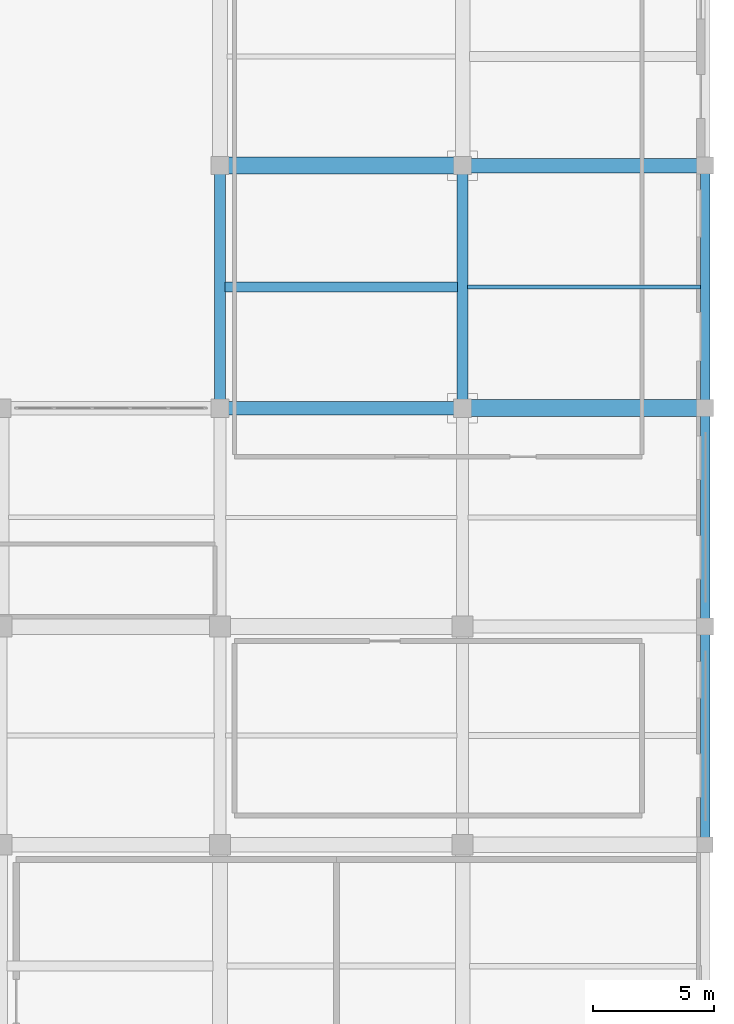
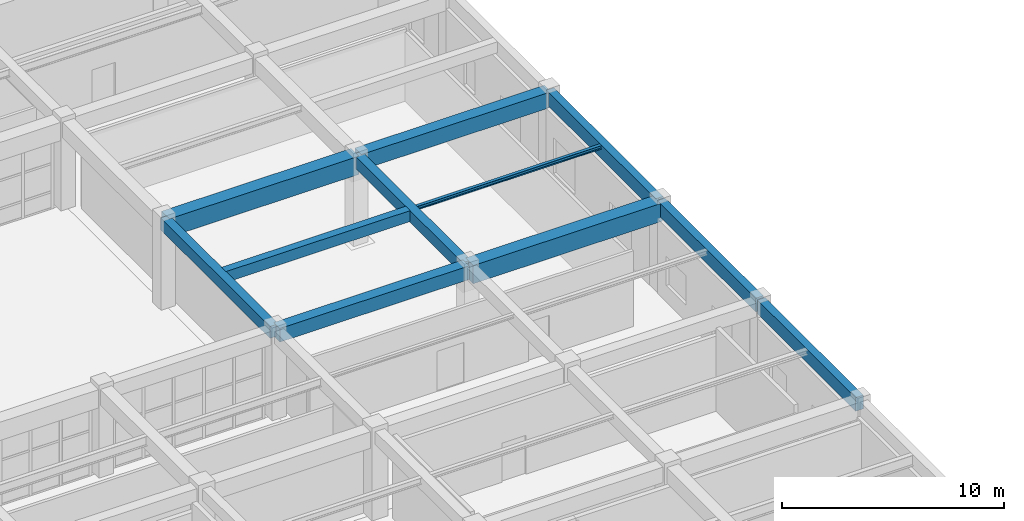
# One storey, part 80 of 128: 11 beams.
"""IFC4 building model written with IfcOpenShell, lengths in metres."""

from ifc_helpers import new_model, si_unit, direction, frame, origin, origin_2d, place, context, subcontext, project, spatial, rectangle, i_section, extrude, material, material_profile, profile_set, type_object, element, save


model = new_model("IFC4")

# Units and contexts
model_context = context("Model", 3, precision=1e-05, world=origin(), true_north=direction((0.0, 1.0)))
body_context = subcontext(model_context, "Body", "Model", "MODEL_VIEW")
ifc_project = project(units=[si_unit("LENGTHUNIT", "METRE"), si_unit("AREAUNIT", "SQUARE_METRE"), si_unit("VOLUMEUNIT", "CUBIC_METRE"), si_unit("PLANEANGLEUNIT", "RADIAN"), si_unit("MASSUNIT", "GRAM", prefix="KILO")], contexts=[model_context])

# Site, building, storey
site_placement = place(None, origin())
site = spatial("IfcSite", under=ifc_project, at=site_placement, CompositionType="ELEMENT")
building_placement = place(site_placement, origin())
building = spatial("IfcBuilding", under=site, at=building_placement, Name="Miravela Opera House", CompositionType="ELEMENT")
storey_placement = place(building_placement, origin())
storey = spatial("IfcBuildingStorey", under=building, at=storey_placement, Name="L00", CompositionType="ELEMENT", Elevation=0.0)

# Beams
ifc_material_1 = material(Name="Concrete C35/45", Category="concrete")
ifc_material_profile_1 = material_profile(ifc_material_1, rectangle(XDim=0.39990234375, YDim=0.60009765625, at=origin_2d()), Name="RC-BM-400X600")
ifc_profile_set_1 = profile_set([ifc_material_profile_1])
beam_type_1 = type_object("IfcBeamType", Name="STR-BM-RC400X600", PredefinedType="JOIST", material=ifc_profile_set_1)
beam_1_placement = place(storey_placement, frame((144.2099609375, 89.0, 4.550048828125), z_axis=(1.0, 0.0, 0.0), x_axis=(0.0, 1.0, 0.0)))
element("IfcBeam", 1, at=beam_1_placement, inside=storey, type_object=beam_type_1, Name="Secondary Floor Joist L00 17-18/J-K", PredefinedType="JOIST", context=body_context, shape_type="SweptSolid", body=[
    extrude(rectangle(XDim=0.39990234375, YDim=0.60009765625, at=origin_2d()), origin(), (0.0, 0.0, 1.0), 9.580078125),
])
ifc_material_profile_2 = material_profile(ifc_material_1, rectangle(XDim=0.449951171875, YDim=0.64990234375, at=origin_2d()), Name="RC-BM-450X650")
ifc_profile_set_2 = profile_set([ifc_material_profile_2])
beam_type_2 = type_object("IfcBeamType", Name="STR-BM-RC450X650", PredefinedType="BEAM", material=ifc_profile_set_2)
for number, where, z_axis, x_axis, name in (
    (2, (144.0, 84.080078125, 4.52490234375), (0.0, 1.0, 0.0), (-1.0, 0.0, 0.0), "Floor Girder L00 17/J-K"),
    (3, (154.0, 84.080078125, 4.52490234375), (0.0, 1.0, 0.0), (-1.0, 0.0, 0.0), "Floor Girder L00 18/J-K"),
):
    element("IfcBeam", number, at=place(storey_placement, frame(where, z_axis=z_axis, x_axis=x_axis)), inside=storey, type_object=beam_type_2, Name=name, PredefinedType="BEAM", context=body_context, shape_type="SweptSolid", body=[
        extrude(rectangle(XDim=0.449951171875, YDim=0.64990234375, at=origin_2d()), origin(), (0.0, 0.0, 1.0), 9.83984375),
    ])
ifc_material_profile_3 = material_profile(ifc_material_1, rectangle(XDim=0.550048828125, YDim=0.75, at=origin_2d()), Name="RC-BM-550X750")
ifc_profile_set_3 = profile_set([ifc_material_profile_3])
beam_type_3 = type_object("IfcBeamType", Name="STR-BM-RC550X750", PredefinedType="BEAM", material=ifc_profile_set_3)
beam_2_placement = place(storey_placement, frame((144.080078125, 84.0, 4.47509765625), z_axis=(1.0, 0.0, 0.0), x_axis=(0.0, 1.0, 0.0)))
element("IfcBeam", 4, at=beam_2_placement, inside=storey, type_object=beam_type_3, Name="Floor Girder L00 17-18/J", PredefinedType="BEAM", context=body_context, shape_type="SweptSolid", body=[
    extrude(rectangle(XDim=0.550048828125, YDim=0.75, at=origin_2d()), origin(), (0.0, 0.0, 1.0), 9.83984375),
])
ifc_material_2 = material(Name="Concrete C40/50", Category="concrete")
ifc_material_profile_4 = material_profile(ifc_material_2, rectangle(XDim=0.60009765625, YDim=0.85009765625, at=origin_2d()), Name="RC-BM-600X850")
ifc_profile_set_4 = profile_set([ifc_material_profile_4])
beam_type_4 = type_object("IfcBeamType", Name="STR-BM-RC600X850", PredefinedType="BEAM", material=ifc_profile_set_4)
beam_3_placement = place(storey_placement, frame((154.080078125, 94.0, 4.425048828125), z_axis=(1.0, 0.0, 0.0), x_axis=(0.0, 1.0, 0.0)))
element("IfcBeam", 5, at=beam_3_placement, inside=storey, type_object=beam_type_4, Name="Floor Girder L00 18-19/K", PredefinedType="BEAM", context=body_context, shape_type="SweptSolid", body=[
    extrude(rectangle(XDim=0.60009765625, YDim=0.85009765625, at=origin_2d()), origin(), (0.0, 0.0, 1.0), 9.83984375),
])
ifc_material_profile_5 = material_profile(ifc_material_2, rectangle(XDim=0.699951171875, YDim=1.0, at=origin_2d()), Name="RC-BM-700X1000")
ifc_profile_set_5 = profile_set([ifc_material_profile_5])
beam_type_5 = type_object("IfcBeamType", Name="STR-BM-RC700X1000", PredefinedType="BEAM", material=ifc_profile_set_5)
for number, where, z_axis, x_axis, name in (
    (6, (144.080078125, 94.0, 4.35009765625), (1.0, 0.0, 0.0), (0.0, 1.0, 0.0), "Floor Girder L00 17-18/K"),
    (7, (154.080078125, 84.0, 4.35009765625), (1.0, 0.0, 0.0), (0.0, 1.0, 0.0), "Floor Girder L00 18-19/J"),
):
    element("IfcBeam", number, at=place(storey_placement, frame(where, z_axis=z_axis, x_axis=x_axis)), inside=storey, type_object=beam_type_5, Name=name, PredefinedType="BEAM", context=body_context, shape_type="SweptSolid", body=[
        extrude(rectangle(XDim=0.699951171875, YDim=1.0, at=origin_2d()), origin(), (0.0, 0.0, 1.0), 9.83984375),
    ])
ifc_material_3 = material(Name="Structural steel ASTM A992 Gr. 50", Category="steel")
ifc_material_profile_6 = material_profile(ifc_material_3, i_section(OverallWidth=0.1650390625, OverallDepth=0.200927734375, WebThickness=0.006103515625, FlangeThickness=0.01025390625, FilletRadius=0.010009765625, at=origin_2d()), Name="W200X36")
ifc_profile_set_6 = profile_set([ifc_material_profile_6])
beam_type_6 = type_object("IfcBeamType", Name="STR-BM-W200X36", PredefinedType="LINTEL", material=ifc_profile_set_6)
beam_4_placement = place(storey_placement, frame((154.2099609375, 89.0, 4.74951171875), z_axis=(1.0, 0.0, 0.0), x_axis=(0.0, 1.0, 0.0)))
element("IfcBeam", 8, at=beam_4_placement, inside=storey, type_object=beam_type_6, Name="Secondary Floor Joist L00 18-19/J-K", PredefinedType="LINTEL", context=body_context, shape_type="SweptSolid", body=[
    extrude(i_section(OverallWidth=0.1650390625, OverallDepth=0.200927734375, WebThickness=0.006103515625, FlangeThickness=0.01025390625, FilletRadius=0.010009765625, at=origin_2d()), origin(), (0.0, 0.0, 1.0), 9.60498046875),
])
ifc_material_profile_7 = material_profile(ifc_material_1, rectangle(XDim=0.39990234375, YDim=0.75, at=origin_2d()), Name="RC-SPN-400X750")
ifc_profile_set_7 = profile_set([ifc_material_profile_7])
beam_type_7 = type_object("IfcBeamType", Name="STR-SPN-RC400X750", PredefinedType="SPANDREL", material=ifc_profile_set_7)
for number, where, z_axis, x_axis, name in (
    (9, (164.0, 66.080078125, 4.47509765625), (0.0, 1.0, 0.0), (-1.0, 0.0, 0.0), "Floor Girder L00 19/H-I"),
    (10, (164.0, 75.080078125, 4.47509765625), (0.0, 1.0, 0.0), (-1.0, 0.0, 0.0), "Floor Girder L00 19/I-J"),
):
    element("IfcBeam", number, at=place(storey_placement, frame(where, z_axis=z_axis, x_axis=x_axis)), inside=storey, type_object=beam_type_7, Name=name, PredefinedType="SPANDREL", context=body_context, shape_type="SweptSolid", body=[
        extrude(rectangle(XDim=0.39990234375, YDim=0.75, at=origin_2d()), origin(), (0.0, 0.0, 1.0), 8.83984375),
    ])
beam_5_placement = place(storey_placement, frame((164.0, 84.080078125, 4.47509765625), z_axis=(0.0, 1.0, 0.0), x_axis=(-1.0, 0.0, 0.0)))
element("IfcBeam", 11, at=beam_5_placement, inside=storey, type_object=beam_type_7, Name="Floor Girder L00 19/J-K", PredefinedType="SPANDREL", context=body_context, shape_type="SweptSolid", body=[
    extrude(rectangle(XDim=0.39990234375, YDim=0.75, at=origin_2d()), origin(), (0.0, 0.0, 1.0), 9.83984375),
])

save(model, "model.ifc")
